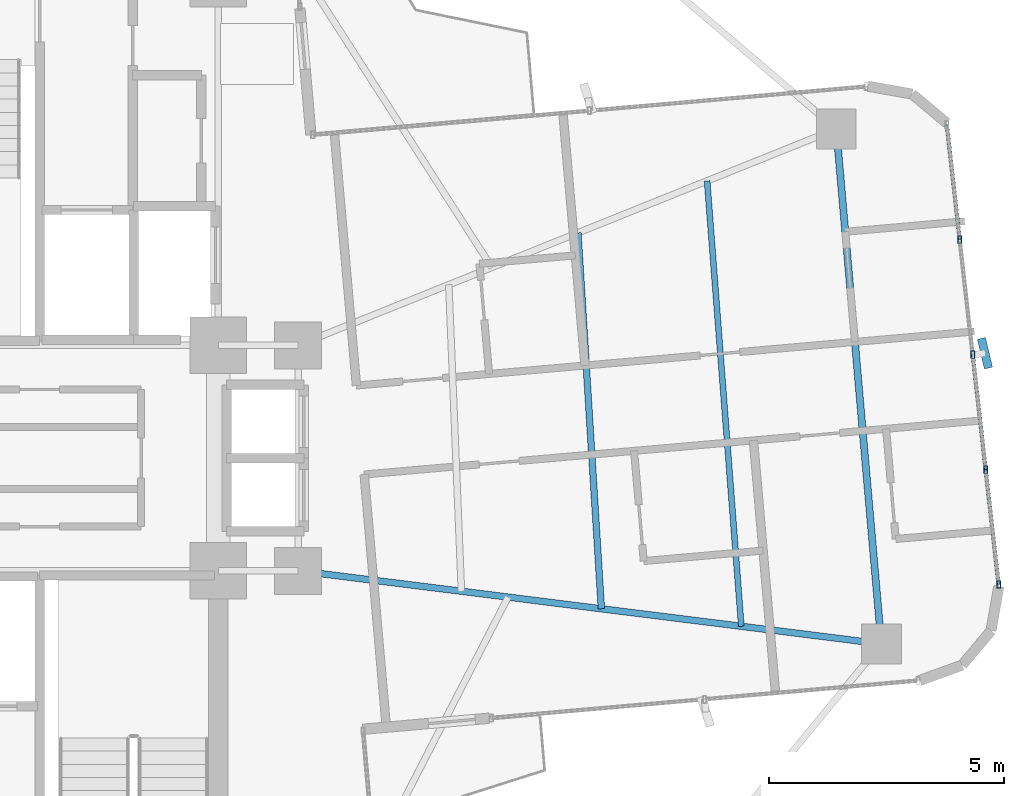
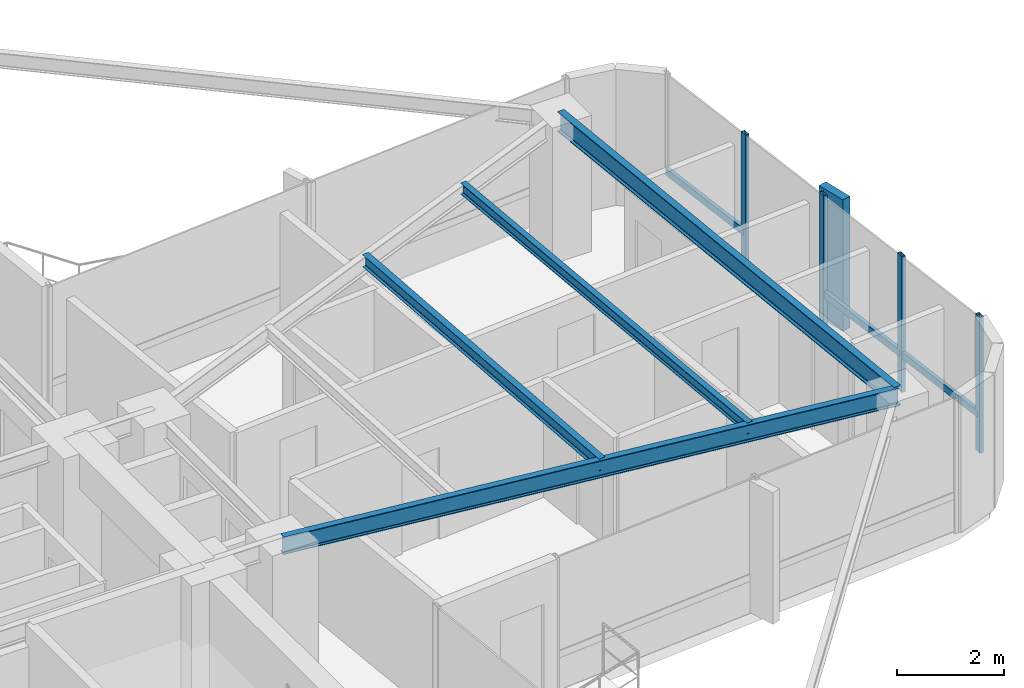
# One storey, part 14 of 24: 8 members, 4 beams, 1 element without a shape of its own.
"""IFC4 building model written with IfcOpenShell, lengths in metres."""

from ifc_helpers import new_model, si_unit, direction, frame, origin, origin_2d, place, context, subcontext, project, spatial, rectangle, hollow_rectangle, i_section, extrude, source, transform, mapped, material, material_profile, profile_set, type_object, element, aggregate, save


model = new_model("IFC4")

# Units and contexts
model_context = context("Model", 3, precision=1e-05, world=origin(), true_north=direction((0.0, 1.0)))
body_context = subcontext(model_context, "Body", "Model", "MODEL_VIEW")
ifc_project = project(units=[si_unit("LENGTHUNIT", "METRE"), si_unit("AREAUNIT", "SQUARE_METRE"), si_unit("VOLUMEUNIT", "CUBIC_METRE"), si_unit("PLANEANGLEUNIT", "RADIAN"), si_unit("MASSUNIT", "GRAM", prefix="KILO")], contexts=[model_context])

# Site, building, storey
site_placement = place(None, origin())
site = spatial("IfcSite", under=ifc_project, at=site_placement, CompositionType="ELEMENT")
building_placement = place(site_placement, origin())
building = spatial("IfcBuilding", under=site, at=building_placement, Name="Sahyath Konkavel Grand Hotel", CompositionType="ELEMENT")
storey_placement = place(building_placement, frame((0.0, 0.0, 188.60009765625)))
storey = spatial("IfcBuildingStorey", under=building, at=storey_placement, Name="L52", CompositionType="ELEMENT", Elevation=188.60009765625)

# Beams
ifc_material_1 = material(Name="Steel E350", Category="steel")
ifc_material_profile_1 = material_profile(ifc_material_1, i_section(OverallWidth=0.139892578125, OverallDepth=0.39990234375, WebThickness=0.0087890625, FlangeThickness=0.01611328125, FilletRadius=0.013916015625, at=origin_2d()), Name="ISMB 400")
ifc_profile_set_1 = profile_set([ifc_material_profile_1], Name="Steel E350")
beam_type_1 = type_object("IfcBeamType", Name="BM-ISMB400", PredefinedType="BEAM", material=ifc_profile_set_1)
shared_shape_1 = source(origin(), body_context, "Body", "SweptSolid", [
    extrude(i_section(OverallWidth=0.139892578125, OverallDepth=0.39990234375, WebThickness=0.0087890625, FlangeThickness=0.01611328125, FilletRadius=0.013916015625, at=origin_2d()), origin(), (0.0, 0.0, 1.0), 12.509765625),
])
beam_1_placement = place(storey_placement, frame((5.5, -2.39990234375, 2.909912109375), z_axis=(0.992254740459, -0.124219684578, 0.0), x_axis=(0.124219684578, 0.992254740459, 0.0)))
element("IfcBeam", 1, at=beam_1_placement, inside=storey, type_object=beam_type_1, Name="L52 Cruciform Radial Girder EA", PredefinedType="BEAM", context=body_context, shape_type="MappedRepresentation", body=[
    mapped(shared_shape_1, transform((0.0, 0.0, 0.0), scale=1.0)),
])
ifc_material_profile_2 = material_profile(ifc_material_1, i_section(OverallWidth=0.14990234375, OverallDepth=0.449951171875, WebThickness=0.009521484375, FlangeThickness=0.017333984375, FilletRadius=0.014892578125, at=origin_2d()), Name="ISMB 450")
ifc_profile_set_2 = profile_set([ifc_material_profile_2], Name="Steel E350")
beam_type_2 = type_object("IfcBeamType", Name="BM-ISMB450", PredefinedType="BEAM", material=ifc_profile_set_2)
shared_shape_2 = source(origin(), body_context, "Body", "SweptSolid", [
    extrude(i_section(OverallWidth=0.14990234375, OverallDepth=0.449951171875, WebThickness=0.009521484375, FlangeThickness=0.017333984375, FilletRadius=0.014892578125, at=origin_2d()), origin(), (0.0, 0.0, 1.0), 11.0),
])
beam_2_placement = place(storey_placement, frame((17.912841796875, -3.953857421875, 2.885009765625), z_axis=(-0.087157314015, 0.996194560622, 0.0), x_axis=(-0.996194560622, -0.087157314015, 0.0)))
element("IfcBeam", 2, at=beam_2_placement, inside=storey, type_object=beam_type_2, Name="L52 Wing Tip Edge Beam E", PredefinedType="BEAM", context=body_context, shape_type="MappedRepresentation", body=[
    mapped(shared_shape_2, transform((0.0, 0.0, 0.0), scale=1.0)),
])
ifc_material_profile_3 = material_profile(ifc_material_1, i_section(OverallWidth=0.139892578125, OverallDepth=0.27490234375, WebThickness=0.00634765625, FlangeThickness=0.0087890625, FilletRadius=0.012939453125, at=origin_2d()), Name="ISLB 275")
ifc_profile_set_3 = profile_set([ifc_material_profile_3], Name="Steel E350")
beam_type_3 = type_object("IfcBeamType", Name="BM-ISLB275", PredefinedType="BEAM", material=ifc_profile_set_3)
shared_shape_3 = source(origin(), body_context, "Body", "SweptSolid", [
    extrude(i_section(OverallWidth=0.139892578125, OverallDepth=0.27490234375, WebThickness=0.00634765625, FlangeThickness=0.0087890625, FilletRadius=0.012939453125, at=origin_2d()), origin(), (0.0, 0.0, 1.0), 8.017822265625),
])
beam_3_placement = place(storey_placement, frame((11.95458984375, -3.2080078125, 2.972412109375), z_axis=(-0.062179233264, 0.998064999362, 0.0), x_axis=(-0.998064999362, -0.062179233264, 0.0)))
element("IfcBeam", 3, at=beam_3_placement, inside=storey, type_object=beam_type_3, Name="L52 Secondary Floor Beam E-2", PredefinedType="BEAM", context=body_context, shape_type="MappedRepresentation", body=[
    mapped(shared_shape_3, transform((0.0, 0.0, 0.0), scale=1.0)),
])
ifc_material_profile_4 = material_profile(ifc_material_1, i_section(OverallWidth=0.125, OverallDepth=0.25, WebThickness=0.0068359375, FlangeThickness=0.012451171875, FilletRadius=0.012939453125, at=origin_2d()), Name="ISMB 250")
ifc_profile_set_4 = profile_set([ifc_material_profile_4], Name="Steel E350")
beam_type_4 = type_object("IfcBeamType", Name="BM-ISMB250", PredefinedType="BEAM", material=ifc_profile_set_4)
shared_shape_4 = source(origin(), body_context, "Body", "SweptSolid", [
    extrude(i_section(OverallWidth=0.125, OverallDepth=0.25, WebThickness=0.0068359375, FlangeThickness=0.012451171875, FilletRadius=0.012939453125, at=origin_2d()), origin(), (0.0, 0.0, 1.0), 9.508056640625),
])
beam_4_placement = place(storey_placement, frame((14.93359375, -3.580810546875, 2.98486328125), z_axis=(-0.076619921029, 0.997060373148, 0.0), x_axis=(-0.997060373148, -0.076619921029, 0.0)))
element("IfcBeam", 4, at=beam_4_placement, inside=storey, type_object=beam_type_4, Name="L52 Secondary Floor Beam E-3", PredefinedType="BEAM", context=body_context, shape_type="MappedRepresentation", body=[
    mapped(shared_shape_4, transform((0.0, 0.0, 0.0), scale=1.0)),
])

# Curtain wall, members
ifc_material_2 = material(Name="Anodised Bronze Aluminium & Low-E Glazing", Category="aluminium")
curtain_wall_type = type_object("IfcCurtainWallType", Name="CW-ZONE3", PredefinedType="NOTDEFINED", material=ifc_material_2)
curtain_wall_placement = place(storey_placement, origin())
curtain_wall = element("IfcCurtainWall", 5, at=curtain_wall_placement, inside=storey, type_object=curtain_wall_type, Name="L52 Unitised Curtain Wall F4", PredefinedType="NOTDEFINED")
ifc_material_3 = material(Name="Anodised Bronze Aluminium", Category="aluminium")
ifc_material_profile_5 = material_profile(ifc_material_3, hollow_rectangle(XDim=0.080078125, YDim=0.159912109375, WallThickness=0.006103515625, at=origin_2d()), Name="RHS 160x80x6")
ifc_profile_set_5 = profile_set([ifc_material_profile_5], Name="Anodised Bronze Aluminium")
member_type_1 = type_object("IfcMemberType", Name="CW-MUL-160", PredefinedType="MULLION", material=ifc_profile_set_5)
shared_shape_5 = source(origin(), body_context, "Body", "SweptSolid", [
    extrude(hollow_rectangle(XDim=0.080078125, YDim=0.159912109375, WallThickness=0.006103515625, at=origin_2d()), origin(), (0.0, 0.0, 1.0), 3.10986328125),
])
member_1_placement = place(storey_placement, frame((20.4111328125, -2.69140625, 0.0), z_axis=(0.0, 0.0, 1.0), x_axis=(1.0, 0.0, 0.0)))
member_1 = element("IfcMember", 6, at=member_1_placement, type_object=member_type_1, Name="L52 Curtain Wall Mullion F4-0", PredefinedType="MULLION", context=body_context, shape_type="MappedRepresentation", body=[
    mapped(shared_shape_5, transform((0.0, 0.0, 0.0), scale=1.0)),
])
member_2_placement = place(storey_placement, frame((20.135498046875, -0.24462890625, 0.0), z_axis=(0.0, 0.0, 1.0), x_axis=(1.0, 0.0, 0.0)))
member_2 = element("IfcMember", 7, at=member_2_placement, type_object=member_type_1, Name="L52 Curtain Wall Mullion F4-1", PredefinedType="MULLION", context=body_context, shape_type="MappedRepresentation", body=[
    mapped(shared_shape_5, transform((0.0, 0.0, 0.0), scale=1.0)),
])
member_3_placement = place(storey_placement, frame((19.859619140625, 2.201904296875, 0.0), z_axis=(0.0, 0.0, 1.0), x_axis=(1.0, 0.0, 0.0)))
member_3 = element("IfcMember", 8, at=member_3_placement, type_object=member_type_1, Name="L52 Curtain Wall Mullion F4-2", PredefinedType="MULLION", context=body_context, shape_type="MappedRepresentation", body=[
    mapped(shared_shape_5, transform((0.0, 0.0, 0.0), scale=1.0)),
])
member_4_placement = place(storey_placement, frame((19.583984375, 4.648193359375, 0.0), z_axis=(0.0, 0.0, 1.0), x_axis=(1.0, 0.0, 0.0)))
member_4 = element("IfcMember", 9, at=member_4_placement, type_object=member_type_1, Name="L52 Curtain Wall Mullion F4-3", PredefinedType="MULLION", context=body_context, shape_type="MappedRepresentation", body=[
    mapped(shared_shape_5, transform((0.0, 0.0, 0.0), scale=1.0)),
])
ifc_material_4 = material(Name="Warm Buff Sandstone Cladding on Concrete C50/60", Category="masonry")
ifc_material_profile_6 = material_profile(ifc_material_4, rectangle(XDim=0.179931640625, YDim=0.64990234375, at=origin_2d()), Name="FIN 180x650")
ifc_profile_set_6 = profile_set([ifc_material_profile_6], Name="Warm Buff Sandstone Cladding on Concrete C50/60")
member_type_2 = type_object("IfcMemberType", Name="FIN-SANDSTONE-650", PredefinedType="MULLION", material=ifc_profile_set_6)
shared_shape_6 = source(origin(), body_context, "Body", "SweptSolid", [
    extrude(rectangle(XDim=0.179931640625, YDim=0.64990234375, at=origin_2d()), origin(), (0.0, 0.0, 1.0), 3.010009765625),
])
member_5_placement = place(storey_placement, frame((20.1181640625, 2.23095703125, 0.0498046875), z_axis=(0.0, 0.0, 1.0), x_axis=(0.973138706701, 0.230219585439, 0.0)))
member_5 = element("IfcMember", 10, at=member_5_placement, type_object=member_type_2, Name="L52 Sandstone Vertical Solar Fin FIN F4-2", PredefinedType="MULLION", context=body_context, shape_type="MappedRepresentation", body=[
    mapped(shared_shape_6, transform((0.0, 0.0, 0.0), scale=1.0)),
])
ifc_material_profile_7 = material_profile(ifc_material_3, hollow_rectangle(XDim=0.080078125, YDim=0.159912109375, WallThickness=0.006103515625, at=origin_2d()), Name="RHS 160x80x6")
ifc_profile_set_7 = profile_set([ifc_material_profile_7], Name="Anodised Bronze Aluminium")
member_type_3 = type_object("IfcMemberType", Name="CW-TRN-160", PredefinedType="USERDEFINED", material=ifc_profile_set_7)
shared_shape_7 = source(origin(), body_context, "Body", "SweptSolid", [
    extrude(hollow_rectangle(XDim=0.080078125, YDim=0.159912109375, WallThickness=0.006103515625, at=origin_2d()), origin(), (0.0, 0.0, 1.0), 2.462158203125),
])
member_6_placement = place(storey_placement, frame((20.4111328125, -2.69140625, 0.849853515625), z_axis=(-0.11194409079, 0.993714506555, 0.0), x_axis=(-0.993714506555, -0.11194409079, 0.0)))
member_6 = element("IfcMember", 11, at=member_6_placement, type_object=member_type_3, Name="L52 Curtain Wall Transom F4-0-spandrel", ObjectType="TRANSOM", PredefinedType="USERDEFINED", context=body_context, shape_type="MappedRepresentation", body=[
    mapped(shared_shape_7, transform((0.0, 0.0, 0.0), scale=1.0)),
])
member_7_placement = place(storey_placement, frame((20.135498046875, -0.24462890625, 0.849853515625), z_axis=(-0.112053040279, 0.99370222711, 0.0), x_axis=(-0.99370222711, -0.112053040279, 0.0)))
member_7 = element("IfcMember", 12, at=member_7_placement, type_object=member_type_3, Name="L52 Curtain Wall Transom F4-1-spandrel", ObjectType="TRANSOM", PredefinedType="USERDEFINED", context=body_context, shape_type="MappedRepresentation", body=[
    mapped(shared_shape_7, transform((0.0, 0.0, 0.0), scale=1.0)),
])
member_8_placement = place(storey_placement, frame((19.583984375, 4.648193359375, 0.849853515625), z_axis=(-0.11194409079, 0.993714506555, 0.0), x_axis=(-0.993714506555, -0.11194409079, 0.0)))
member_8 = element("IfcMember", 13, at=member_8_placement, type_object=member_type_3, Name="L52 Curtain Wall Transom F4-3-spandrel", ObjectType="TRANSOM", PredefinedType="USERDEFINED", context=body_context, shape_type="MappedRepresentation", body=[
    mapped(shared_shape_7, transform((0.0, 0.0, 0.0), scale=1.0)),
])
aggregate(curtain_wall, [member_1, member_2, member_3, member_5, member_4, member_6, member_7, member_8])

save(model, "model.ifc")
